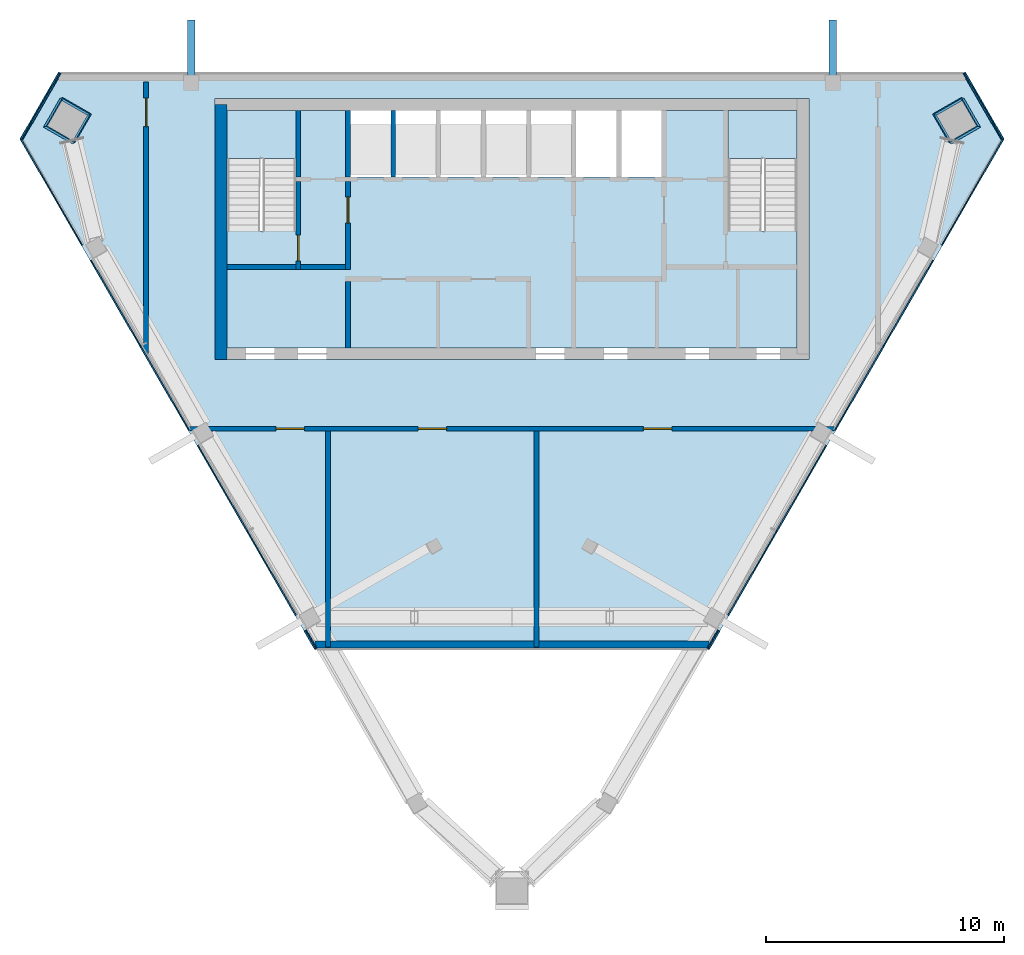
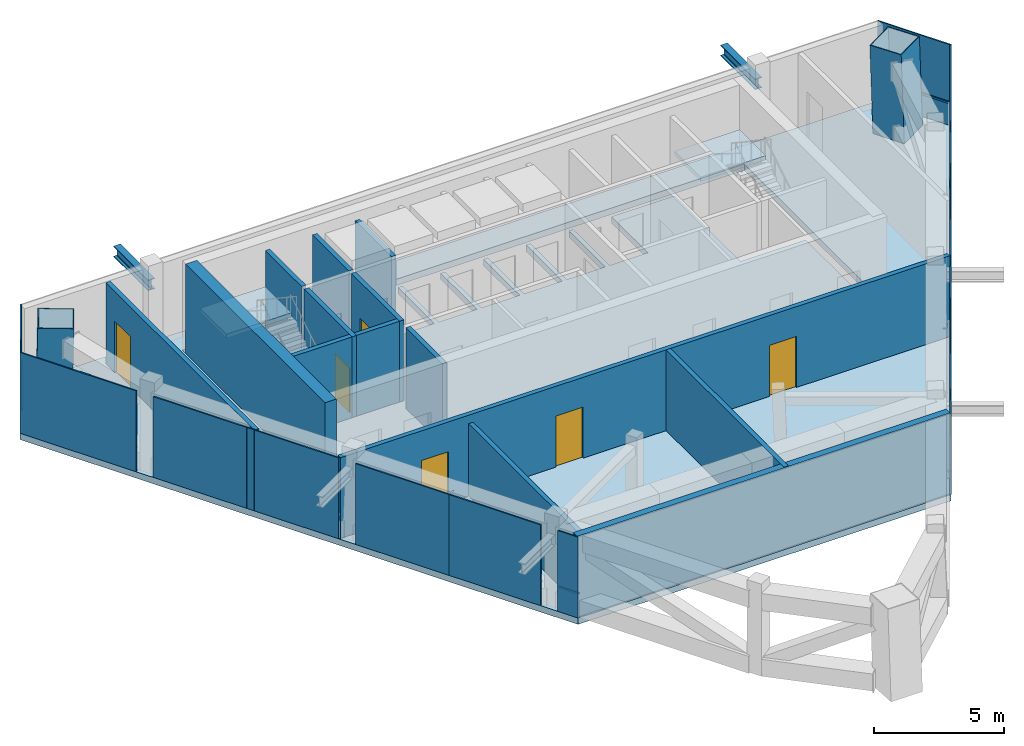
# One storey, part 5 of 9: 14 plates, 14 walls, 8 members, 6 doors, 4 slabs, 6 openings, 6 elements without a shape of their own.
"""IFC4 building model written with IfcOpenShell, lengths in metres."""

from ifc_helpers import new_model, si_unit, direction, frame, frame_2d, origin, origin_2d, place, context, subcontext, project, spatial, polyline, rectangle, hollow_rectangle, i_section, outline, extrude, material, layer, layer_set, material_profile, profile_set, type_object, element, fill, aggregate, save


model = new_model("IFC4")

# Units and contexts
model_context = context("Model", 3, precision=1e-05, world=origin(), true_north=direction((0.0, 1.0)))
body_context = subcontext(model_context, "Body", "Model", "MODEL_VIEW")
ifc_project = project(units=[si_unit("LENGTHUNIT", "METRE"), si_unit("AREAUNIT", "SQUARE_METRE"), si_unit("VOLUMEUNIT", "CUBIC_METRE"), si_unit("PLANEANGLEUNIT", "RADIAN"), si_unit("MASSUNIT", "GRAM", prefix="KILO")], contexts=[model_context])

# Site, building, storey
site_placement = place(None, origin())
site = spatial("IfcSite", under=ifc_project, at=site_placement, CompositionType="ELEMENT")
building_placement = place(site_placement, origin())
building = spatial("IfcBuilding", under=site, at=building_placement, Name="Altiplano Prism Tower", CompositionType="ELEMENT")
storey_placement = place(building_placement, frame((0.0, 0.0, 343.0)))
storey = spatial("IfcBuildingStorey", under=building, at=storey_placement, Name="L89", CompositionType="ELEMENT", Elevation=343.0)

# Members
ifc_material_1 = material(Name="Steel S355", Category="steel")
ifc_material_profile_1 = material_profile(ifc_material_1, i_section(OverallWidth=0.300048828125, OverallDepth=0.5, WebThickness=0.014404296875, FlangeThickness=0.028076171875, FilletRadius=0.027099609375, at=origin_2d()), Name="Brace bracket HEB 500")
ifc_profile_set_1 = profile_set([ifc_material_profile_1], Name="Steel S355")
member_type_1 = type_object("IfcMemberType", Name="Brace bracket HEB 500", PredefinedType="STRUT", material=ifc_profile_set_1)
for number, where, z_axis, x_axis, name in (
    (1, (98.5, 104.550048828125, 3.04443359375), (0.0, 1.0, 0.0), (-1.0, 0.0, 0.0), "Brace bracket 0.347.2"),
    (2, (71.5, 104.550048828125, 3.04443359375), (0.0, 1.0, 0.0), (-1.0, 0.0, 0.0), "Brace bracket 0.347.2"),
):
    element("IfcMember", number, at=place(storey_placement, frame(where, z_axis=z_axis, x_axis=x_axis)), inside=storey, type_object=member_type_1, Name=name, PredefinedType="STRUT", context=body_context, shape_type="SweptSolid", body=[
        extrude(i_section(OverallWidth=0.300048828125, OverallDepth=0.5, WebThickness=0.014404296875, FlangeThickness=0.028076171875, FilletRadius=0.027099609375, at=origin_2d()), origin(), (0.0, 0.0, 1.0), 2.64990234375),
    ])

# Curtain wall, member
ifc_material_2 = material(Name="Aluminium and glass", Category="aluminium")
ifc_layer_1 = layer(ifc_material_2, 0.320068359375)
ifc_layer_set_1 = layer_set([ifc_layer_1], Name="Aluminium and glass")
curtain_wall_type = type_object("IfcCurtainWallType", Name="CW6 louvred plant-floor curtain wall", PredefinedType="NOTDEFINED", material=ifc_layer_set_1)
curtain_wall_1_placement = place(storey_placement, origin())
curtain_wall_1 = element("IfcCurtainWall", 3, at=curtain_wall_1_placement, inside=storey, type_object=curtain_wall_type, Name="CW6 curtain wall north-west chamfer L89", PredefinedType="NOTDEFINED")
ifc_material_3 = material(Name="Aluminium", Category="aluminium")
ifc_material_profile_2 = material_profile(ifc_material_3, rectangle(XDim=0.06005859375, YDim=0.080078125, at=origin_2d()), Name="CW6 transom 80 x 60")
ifc_profile_set_2 = profile_set([ifc_material_profile_2], Name="Aluminium")
member_type_2 = type_object("IfcMemberType", Name="CW6 transom 80 x 60", PredefinedType="USERDEFINED", material=ifc_profile_set_2)
member_1_placement = place(storey_placement, frame((65.9912109375, 104.955078125, 1.10009765625), z_axis=(-0.499967850536, -0.866043964491, 0.0), x_axis=(0.866043964491, -0.499967850536, 0.0)))
member_1 = element("IfcMember", 4, at=member_1_placement, type_object=member_type_2, Name="CW6 transom", ObjectType="TRANSOM", PredefinedType="USERDEFINED", context=body_context, shape_type="SweptSolid", body=[
    extrude(rectangle(XDim=0.06005859375, YDim=0.080078125, at=origin_2d()), origin(), (0.0, 0.0, 1.0), 3.243896484375),
])

curtain_wall_2_placement = place(storey_placement, origin())
curtain_wall_2 = element("IfcCurtainWall", 5, at=curtain_wall_2_placement, inside=storey, type_object=curtain_wall_type, Name="CW6 curtain wall south-west face L89", PredefinedType="NOTDEFINED")
member_2_placement = place(storey_placement, frame((76.3251953125, 81.527587890625, 1.10009765625), z_axis=(0.500120037633, -0.865956088932, 0.0), x_axis=(0.865956088932, 0.500120037633, 0.0)))
member_2 = element("IfcMember", 6, at=member_2_placement, type_object=member_type_2, Name="CW6 transom", ObjectType="TRANSOM", PredefinedType="USERDEFINED", context=body_context, shape_type="SweptSolid", body=[
    extrude(rectangle(XDim=0.06005859375, YDim=0.080078125, at=origin_2d()), origin(), (0.0, 0.0, 1.0), 0.903564453125),
])

curtain_wall_3_placement = place(storey_placement, origin())
curtain_wall_3 = element("IfcCurtainWall", 7, at=curtain_wall_3_placement, inside=storey, type_object=curtain_wall_type, Name="CW6 curtain wall south-east face L89", PredefinedType="NOTDEFINED")
member_3_placement = place(storey_placement, frame((93.222900390625, 80.7451171875, 1.10009765625), z_axis=(0.500120037633, 0.865956088932, 0.0), x_axis=(-0.865956088932, 0.500120037633, 0.0)))
member_3 = element("IfcMember", 8, at=member_3_placement, type_object=member_type_2, Name="CW6 transom", ObjectType="TRANSOM", PredefinedType="USERDEFINED", context=body_context, shape_type="SweptSolid", body=[
    extrude(rectangle(XDim=0.06005859375, YDim=0.080078125, at=origin_2d()), origin(), (0.0, 0.0, 1.0), 0.903564453125),
])

curtain_wall_4_placement = place(storey_placement, origin())
curtain_wall_4 = element("IfcCurtainWall", 9, at=curtain_wall_4_placement, inside=storey, type_object=curtain_wall_type, Name="CW6 curtain wall north-east chamfer L89", PredefinedType="NOTDEFINED")
member_4_placement = place(storey_placement, frame((105.630615234375, 102.145751953125, 1.10009765625), z_axis=(-0.499967850536, 0.866043964491, 0.0), x_axis=(-0.866043964491, -0.499967850536, 0.0)))
member_4 = element("IfcMember", 10, at=member_4_placement, type_object=member_type_2, Name="CW6 transom", ObjectType="TRANSOM", PredefinedType="USERDEFINED", context=body_context, shape_type="SweptSolid", body=[
    extrude(rectangle(XDim=0.06005859375, YDim=0.080078125, at=origin_2d()), origin(), (0.0, 0.0, 1.0), 3.243896484375),
])

# Members
ifc_material_4 = material(Name="Steel S460", Category="steel")
ifc_material_profile_3 = material_profile(ifc_material_4, hollow_rectangle(XDim=1.39990234375, YDim=1.39990234375, WallThickness=0.0400390625, at=origin_2d()), Name="Mega column tube 1400")
ifc_profile_set_3 = profile_set([ifc_material_profile_3], Name="Steel S460")
member_type_3 = type_object("IfcMemberType", Name="Mega column tube 1400", PredefinedType="POST", material=ifc_profile_set_3)
for number, where, z_axis, x_axis, name in (
    (11, (66.228271484375, 102.9453125, 0.0), (0.028354513336, 0.00929656175, 0.99955469861), (-0.866606398712, 0.498593533473, 0.019945879045), "Mega column tube M0 L89"),
    (12, (103.771728515625, 102.9453125, 0.0), (-0.028354513336, 0.00929656175, 0.99955469861), (0.498186080983, -0.866786053371, 0.022193836892), "Mega column tube M2 L89"),
):
    element("IfcMember", number, at=place(storey_placement, frame(where, z_axis=z_axis, x_axis=x_axis)), inside=storey, type_object=member_type_3, Name=name, PredefinedType="POST", context=body_context, shape_type="SweptSolid", body=[
        extrude(hollow_rectangle(XDim=1.39990234375, YDim=1.39990234375, WallThickness=0.0400390625, at=origin_2d()), origin(), (0.0, 0.0, 1.0), 4.201904296875),
    ])

# Plate
ifc_material_5 = material(Name="Anodised aluminium", Category="aluminium")
ifc_layer_2 = layer(ifc_material_5, 0.06005859375)
ifc_layer_set_2 = layer_set([ifc_layer_2], Name="Anodised aluminium")
plate_type = type_object("IfcPlateType", Name="CW6 louvred aluminium panel 60", PredefinedType="CURTAIN_PANEL", material=ifc_layer_set_2)
plate_1_placement = place(storey_placement, frame((65.12841796875, 103.580322265625, 0.0), z_axis=(0.0, 0.0, 1.0), x_axis=(-0.499999934749, -0.866025441457, 0.0)))
plate_1 = element("IfcPlate", 13, at=plate_1_placement, type_object=plate_type, Name="CW6 panel", PredefinedType="CURTAIN_PANEL", context=body_context, shape_type="SweptSolid", body=[
    extrude(rectangle(XDim=3.233642578125, YDim=0.06005859375, at=origin_2d()), origin(), (0.0, 0.0, 1.0), 3.800048828125),
])

aggregate(curtain_wall_1, [member_1, plate_1])

plate_2_placement = place(storey_placement, frame((65.609375, 99.9677734375, 0.0), z_axis=(0.0, 0.0, 1.0), x_axis=(0.500000003915, -0.866025401524, 0.0)))
plate_2 = element("IfcPlate", 14, at=plate_2_placement, type_object=plate_type, Name="CW6 panel", PredefinedType="CURTAIN_PANEL", context=body_context, shape_type="SweptSolid", body=[
    extrude(rectangle(XDim=5.158203125, YDim=0.06005859375, at=origin_2d()), origin(), (0.0, 0.0, 1.0), 3.800048828125),
])

plate_3_placement = place(storey_placement, frame((68.317138671875, 95.2783203125, 0.0), z_axis=(0.0, 0.0, 1.0), x_axis=(0.500000003915, -0.866025401524, 0.0)))
plate_3 = element("IfcPlate", 15, at=plate_3_placement, type_object=plate_type, Name="CW6 panel", PredefinedType="CURTAIN_PANEL", context=body_context, shape_type="SweptSolid", body=[
    extrude(rectangle(XDim=4.1650390625, YDim=0.06005859375, at=origin_2d()), origin(), (0.0, 0.0, 1.0), 3.800048828125),
])

plate_4_placement = place(storey_placement, frame((70.381103515625, 91.703125, 0.0), z_axis=(0.0, 0.0, 1.0), x_axis=(0.500000003915, -0.866025401524, 0.0)))
plate_4 = element("IfcPlate", 16, at=plate_4_placement, type_object=plate_type, Name="CW6 panel", PredefinedType="CURTAIN_PANEL", context=body_context, shape_type="SweptSolid", body=[
    extrude(rectangle(XDim=4.071533203125, YDim=0.06005859375, at=origin_2d()), origin(), (0.0, 0.0, 1.0), 3.800048828125),
])

plate_5_placement = place(storey_placement, frame((72.817138671875, 87.484130859375, 0.0), z_axis=(0.0, 0.0, 1.0), x_axis=(0.500000003915, -0.866025401524, 0.0)))
plate_5 = element("IfcPlate", 17, at=plate_5_placement, type_object=plate_type, Name="CW6 panel", PredefinedType="CURTAIN_PANEL", context=body_context, shape_type="SweptSolid", body=[
    extrude(rectangle(XDim=4.1650390625, YDim=0.06005859375, at=origin_2d()), origin(), (0.0, 0.0, 1.0), 3.800048828125),
])

plate_6_placement = place(storey_placement, frame((74.881103515625, 83.908935546875, 0.0), z_axis=(0.0, 0.0, 1.0), x_axis=(0.500000003915, -0.866025401524, 0.0)))
plate_6 = element("IfcPlate", 18, at=plate_6_placement, type_object=plate_type, Name="CW6 panel", PredefinedType="CURTAIN_PANEL", context=body_context, shape_type="SweptSolid", body=[
    extrude(rectangle(XDim=4.071533203125, YDim=0.06005859375, at=origin_2d()), origin(), (0.0, 0.0, 1.0), 3.800048828125),
])

plate_7_placement = place(storey_placement, frame((76.499267578125, 81.1064453125, 0.0), z_axis=(0.0, 0.0, 1.0), x_axis=(0.500000003915, -0.866025401524, 0.0)))
plate_7 = element("IfcPlate", 19, at=plate_7_placement, type_object=plate_type, Name="CW6 panel", PredefinedType="CURTAIN_PANEL", context=body_context, shape_type="SweptSolid", body=[
    extrude(rectangle(XDim=0.893798828125, YDim=0.06005859375, at=origin_2d()), origin(), (0.0, 0.0, 1.0), 3.800048828125),
])

aggregate(curtain_wall_2, [plate_2, plate_3, plate_4, plate_5, plate_6, member_2, plate_7])

plate_8_placement = place(storey_placement, frame((93.500732421875, 81.1064453125, 0.0), z_axis=(0.0, 0.0, 1.0), x_axis=(0.500000003915, 0.866025401524, 0.0)))
plate_8 = element("IfcPlate", 20, at=plate_8_placement, type_object=plate_type, Name="CW6 panel", PredefinedType="CURTAIN_PANEL", context=body_context, shape_type="SweptSolid", body=[
    extrude(rectangle(XDim=0.893798828125, YDim=0.06005859375, at=origin_2d()), origin(), (0.0, 0.0, 1.0), 3.800048828125),
])

plate_9_placement = place(storey_placement, frame((95.118896484375, 83.908935546875, 0.0), z_axis=(0.0, 0.0, 1.0), x_axis=(0.500000003915, 0.866025401524, 0.0)))
plate_9 = element("IfcPlate", 21, at=plate_9_placement, type_object=plate_type, Name="CW6 panel", PredefinedType="CURTAIN_PANEL", context=body_context, shape_type="SweptSolid", body=[
    extrude(rectangle(XDim=4.071533203125, YDim=0.06005859375, at=origin_2d()), origin(), (0.0, 0.0, 1.0), 3.800048828125),
])

plate_10_placement = place(storey_placement, frame((97.182861328125, 87.484130859375, 0.0), z_axis=(0.0, 0.0, 1.0), x_axis=(0.500000003915, 0.866025401524, 0.0)))
plate_10 = element("IfcPlate", 22, at=plate_10_placement, type_object=plate_type, Name="CW6 panel", PredefinedType="CURTAIN_PANEL", context=body_context, shape_type="SweptSolid", body=[
    extrude(rectangle(XDim=4.1650390625, YDim=0.06005859375, at=origin_2d()), origin(), (0.0, 0.0, 1.0), 3.800048828125),
])

plate_11_placement = place(storey_placement, frame((99.618896484375, 91.703125, 0.0), z_axis=(0.0, 0.0, 1.0), x_axis=(0.500000003915, 0.866025401524, 0.0)))
plate_11 = element("IfcPlate", 23, at=plate_11_placement, type_object=plate_type, Name="CW6 panel", PredefinedType="CURTAIN_PANEL", context=body_context, shape_type="SweptSolid", body=[
    extrude(rectangle(XDim=4.071533203125, YDim=0.06005859375, at=origin_2d()), origin(), (0.0, 0.0, 1.0), 3.800048828125),
])

plate_12_placement = place(storey_placement, frame((101.682861328125, 95.2783203125, 0.0), z_axis=(0.0, 0.0, 1.0), x_axis=(0.500000003915, 0.866025401524, 0.0)))
plate_12 = element("IfcPlate", 24, at=plate_12_placement, type_object=plate_type, Name="CW6 panel", PredefinedType="CURTAIN_PANEL", context=body_context, shape_type="SweptSolid", body=[
    extrude(rectangle(XDim=4.1650390625, YDim=0.06005859375, at=origin_2d()), origin(), (0.0, 0.0, 1.0), 3.800048828125),
])

plate_13_placement = place(storey_placement, frame((104.390625, 99.9677734375, 0.0), z_axis=(0.0, 0.0, 1.0), x_axis=(0.500000003915, 0.866025401524, 0.0)))
plate_13 = element("IfcPlate", 25, at=plate_13_placement, type_object=plate_type, Name="CW6 panel", PredefinedType="CURTAIN_PANEL", context=body_context, shape_type="SweptSolid", body=[
    extrude(rectangle(XDim=5.158203125, YDim=0.06005859375, at=origin_2d()), origin(), (0.0, 0.0, 1.0), 3.800048828125),
])

aggregate(curtain_wall_3, [member_3, plate_8, plate_9, plate_10, plate_11, plate_12, plate_13])

plate_14_placement = place(storey_placement, frame((104.87158203125, 103.580322265625, 0.0), z_axis=(0.0, 0.0, 1.0), x_axis=(-0.499999934749, 0.866025441457, 0.0)))
plate_14 = element("IfcPlate", 26, at=plate_14_placement, type_object=plate_type, Name="CW6 panel", PredefinedType="CURTAIN_PANEL", context=body_context, shape_type="SweptSolid", body=[
    extrude(rectangle(XDim=3.233642578125, YDim=0.06005859375, at=origin_2d()), origin(), (0.0, 0.0, 1.0), 3.800048828125),
])

aggregate(curtain_wall_4, [member_4, plate_14])

# Slabs
ifc_material_6 = material(Name="Concrete C40/50", Category="concrete")
ifc_layer_3 = layer(ifc_material_6, 0.300048828125)
ifc_layer_set_3 = layer_set([ifc_layer_3], Name="Concrete C40/50")
slab_type_1 = type_object("IfcSlabType", Name="Core floor slab 300", PredefinedType="FLOOR", material=ifc_layer_set_3)
slab_1_placement = place(storey_placement, frame((0.0, 0.0, -0.300048828125)))
element("IfcSlab", 27, at=slab_1_placement, inside=storey, type_object=slab_type_1, Name="Core floor slab L89", PredefinedType="FLOOR", context=body_context, shape_type="SweptSolid", body=[
    extrude(outline(polyline([(97.0, 98.31005859375), (94.10009765625, 98.31005859375), (94.10009765625, 103.39990234375), (91.300048828125, 103.39990234375), (91.300048828125, 100.60009765625), (89.60009765625, 100.60009765625), (89.60009765625, 103.39990234375), (89.39990234375, 103.39990234375), (89.39990234375, 100.60009765625), (87.699951171875, 100.60009765625), (87.699951171875, 103.39990234375), (87.5, 103.39990234375), (87.5, 100.60009765625), (85.800048828125, 100.60009765625), (85.800048828125, 103.39990234375), (85.60009765625, 103.39990234375), (85.60009765625, 100.60009765625), (83.89990234375, 100.60009765625), (83.89990234375, 103.39990234375), (83.699951171875, 103.39990234375), (83.699951171875, 100.60009765625), (82.0, 100.60009765625), (82.0, 103.39990234375), (81.800048828125, 103.39990234375), (81.800048828125, 100.60009765625), (80.10009765625, 100.60009765625), (80.10009765625, 103.39990234375), (79.89990234375, 103.39990234375), (79.89990234375, 100.60009765625), (78.199951171875, 100.60009765625), (78.199951171875, 103.39990234375), (75.89990234375, 103.39990234375), (75.89990234375, 98.31005859375), (73.0, 98.31005859375), (73.0, 93.39990234375), (97.0, 93.39990234375), (97.0, 98.31005859375)])), origin(), (0.0, 0.0, 1.0), 0.300048828125),
])
ifc_layer_4 = layer(ifc_material_6, 0.300048828125)
ifc_layer_set_4 = layer_set([ifc_layer_4], Name="Concrete C40/50")
slab_type_2 = type_object("IfcSlabType", Name="Post-tensioned flat slab 300", PredefinedType="FLOOR", material=ifc_layer_set_4)
slab_2_placement = place(storey_placement, frame((0.0, 0.0, -0.300048828125)))
element("IfcSlab", 28, at=slab_2_placement, inside=storey, type_object=slab_type_2, Name="Floor slab L89", PredefinedType="FLOOR", context=body_context, shape_type="SweptSolid", body=[
    extrude(outline(polyline([(105.70849609375, 102.19091796875), (93.30078125, 80.699951171875), (76.69921875, 80.699951171875), (64.29150390625, 102.19091796875), (65.913330078125, 105.0), (104.086669921875, 105.0), (105.70849609375, 102.19091796875)]), holes=[polyline([(97.5, 92.89990234375), (97.5, 103.89990234375), (72.5, 103.89990234375), (72.5, 92.89990234375), (97.5, 92.89990234375)])]), origin(), (0.0, 0.0, 1.0), 0.300048828125),
])

# Stair, slab
stair_type = type_object("IfcStairType", Name="Exit stair 1400", PredefinedType="HALF_TURN_STAIR", material=ifc_material_6)
stair_1_placement = place(storey_placement, origin())
stair_1 = element("IfcStair", 29, at=stair_1_placement, inside=storey, type_object=stair_type, Name="L89 Exit Stair 1", PredefinedType="HALF_TURN_STAIR")
ifc_layer_5 = layer(ifc_material_6, 0.199951171875)
ifc_layer_set_5 = layer_set([ifc_layer_5], Name="Concrete C40/50")
slab_type_3 = type_object("IfcSlabType", Name="Stair landing 200", PredefinedType="LANDING", material=ifc_layer_set_5)
slab_3_placement = place(storey_placement, frame((0.0, 0.0, 1.89990234375)))
slab_3 = element("IfcSlab", 30, at=slab_3_placement, type_object=slab_type_3, Name="ST1 landing 1", PredefinedType="LANDING", context=body_context, shape_type="SweptSolid", body=[
    extrude(outline(polyline([(75.89990234375, 101.376953125), (75.89990234375, 103.39990234375), (73.0, 103.39990234375), (73.0, 101.376953125), (75.89990234375, 101.376953125)])), origin(), (0.0, 0.0, 1.0), 0.2001953125),
])
aggregate(stair_1, [slab_3])

stair_2_placement = place(storey_placement, origin())
stair_2 = element("IfcStair", 31, at=stair_2_placement, inside=storey, type_object=stair_type, Name="L89 Exit Stair 2", PredefinedType="HALF_TURN_STAIR")
slab_4_placement = place(storey_placement, frame((0.0, 0.0, 1.89990234375)))
slab_4 = element("IfcSlab", 32, at=slab_4_placement, type_object=slab_type_3, Name="ST2 landing 1", PredefinedType="LANDING", context=body_context, shape_type="SweptSolid", body=[
    extrude(outline(polyline([(97.0, 101.376953125), (97.0, 103.39990234375), (94.10009765625, 103.39990234375), (94.10009765625, 101.376953125), (97.0, 101.376953125)])), origin(), (0.0, 0.0, 1.0), 0.2001953125),
])
aggregate(stair_2, [slab_4])

# Wall
ifc_material_7 = material(Name="Concrete C60/75", Category="concrete")
ifc_layer_6 = layer(ifc_material_7, 0.5)
ifc_layer_set_6 = layer_set([ifc_layer_6], Name="Concrete C60/75")
wall_type_1 = type_object("IfcWallType", Name="Core wall 500", PredefinedType="SHEAR", material=ifc_layer_set_6)
wall_1_placement = place(storey_placement, frame((72.75, 103.64990234375, 0.0), z_axis=(0.0, 0.0, 1.0), x_axis=(0.0, -1.0, 0.0)))
element("IfcWall", 33, at=wall_1_placement, inside=storey, type_object=wall_type_1, Name="Core wall W L89", PredefinedType="SHEAR", context=body_context, shape_type="SweptSolid", body=[
    extrude(rectangle(XDim=10.75, YDim=0.5, at=frame_2d((5.375, 0.0))), origin(), (0.0, 0.0, 1.0), 4.199951171875),
])

# Wall, openings, doors
ifc_material_8 = material(Name="Plasterboard on steel stud", Category="steel")
ifc_layer_7 = layer(ifc_material_8, 0.199951171875)
ifc_layer_set_7 = layer_set([ifc_layer_7], Name="Plasterboard on steel stud")
wall_type_2 = type_object("IfcWallType", Name="Partition 200 plant", PredefinedType="PARTITIONING", material=ifc_layer_set_7)
wall_2_placement = place(storey_placement, frame((71.44580078125, 89.9990234375, 0.0), z_axis=(0.0, 0.0, 1.0), x_axis=(1.0, 0.0, 0.0)))
wall_2 = element("IfcWall", 34, at=wall_2_placement, inside=storey, type_object=wall_type_2, Name="Partition P04 L89 001", PredefinedType="PARTITIONING", context=body_context, shape_type="SweptSolid", body=[
    extrude(rectangle(XDim=27.1083984375, YDim=0.199951171875, at=frame_2d((13.55419921875, 0.0))), origin(), (0.0, 0.0, 1.0), 3.800048828125),
])
opening_1_placement = place(wall_2_placement, frame((19.0849609375, 0.0, 0.0)))
opening_1 = element("IfcOpeningElement", 35, at=opening_1_placement, cuts=wall_2, Name="Opening D2515", PredefinedType="OPENING", context=body_context, shape_type="SweptSolid", body=[
    extrude(rectangle(XDim=1.199951171875, YDim=2.39990234375, at=frame_2d((0.60009765625, 1.199951171875))), frame((0.0, 0.1103515625, 0.0), z_axis=(0.0, -1.0, 0.0), x_axis=(1.0, 0.0, 0.0)), (0.0, 0.0, 1.0), 0.220947265625),
])
opening_2_placement = place(wall_2_placement, frame((9.59912109375, 0.0, 0.0)))
opening_2 = element("IfcOpeningElement", 36, at=opening_2_placement, cuts=wall_2, Name="Opening D2516", PredefinedType="OPENING", context=body_context, shape_type="SweptSolid", body=[
    extrude(rectangle(XDim=1.199951171875, YDim=2.39990234375, at=frame_2d((0.60009765625, 1.199951171875))), frame((0.0, 0.1103515625, 0.0), z_axis=(0.0, -1.0, 0.0), x_axis=(1.0, 0.0, 0.0)), (0.0, 0.0, 1.0), 0.220947265625),
])
opening_3_placement = place(wall_2_placement, frame((3.617919921875, 0.0, 0.0)))
opening_3 = element("IfcOpeningElement", 37, at=opening_3_placement, cuts=wall_2, Name="Opening D2519", PredefinedType="OPENING", context=body_context, shape_type="SweptSolid", body=[
    extrude(rectangle(XDim=1.199951171875, YDim=2.39990234375, at=frame_2d((0.60009765625, 1.199951171875))), frame((0.0, 0.1103515625, 0.0), z_axis=(0.0, -1.0, 0.0), x_axis=(1.0, 0.0, 0.0)), (0.0, 0.0, 1.0), 0.220947265625),
])
ifc_material_9 = material(Name="Painted steel door leaf", Category="steel")
door_type_1 = type_object("IfcDoorType", Name="Plant room door 1200 x 2400", OperationType="NOTDEFINED", PredefinedType="NOTDEFINED", material=ifc_material_9)
door_1_placement = place(opening_1_placement, origin())
door_1 = element("IfcDoor", 38, at=door_1_placement, inside=storey, type_object=door_type_1, Name="Door D2515", OperationType="SINGLE_SWING_RIGHT", OverallHeight=2.39990234375, OverallWidth=1.199951171875, PredefinedType="NOTDEFINED", context=body_context, shape_type="SweptSolid", body=[
    extrude(rectangle(XDim=1.199951171875, YDim=2.39990234375, at=frame_2d((0.60009765625, 1.199951171875))), frame((0.0, 0.02490234375, 0.0), z_axis=(0.0, -1.0, 0.0), x_axis=(1.0, 0.0, 0.0)), (0.0, 0.0, 1.0), 0.050048828125),
])
fill(opening_1, door_1)
door_2_placement = place(opening_2_placement, origin())
door_2 = element("IfcDoor", 39, at=door_2_placement, inside=storey, type_object=door_type_1, Name="Door D2516", OperationType="SINGLE_SWING_LEFT", OverallHeight=2.39990234375, OverallWidth=1.199951171875, PredefinedType="NOTDEFINED", context=body_context, shape_type="SweptSolid", body=[
    extrude(rectangle(XDim=1.199951171875, YDim=2.39990234375, at=frame_2d((0.60009765625, 1.199951171875))), frame((0.0, 0.02490234375, 0.0), z_axis=(0.0, -1.0, 0.0), x_axis=(1.0, 0.0, 0.0)), (0.0, 0.0, 1.0), 0.050048828125),
])
fill(opening_2, door_2)
door_3_placement = place(opening_3_placement, origin())
door_3 = element("IfcDoor", 40, at=door_3_placement, inside=storey, type_object=door_type_1, Name="Door D2519", OperationType="SINGLE_SWING_LEFT", OverallHeight=2.39990234375, OverallWidth=1.199951171875, PredefinedType="NOTDEFINED", context=body_context, shape_type="SweptSolid", body=[
    extrude(rectangle(XDim=1.199951171875, YDim=2.39990234375, at=frame_2d((0.60009765625, 1.199951171875))), frame((0.0, 0.02490234375, 0.0), z_axis=(0.0, -1.0, 0.0), x_axis=(1.0, 0.0, 0.0)), (0.0, 0.0, 1.0), 0.050048828125),
])
fill(opening_3, door_3)

# Wall, opening, door
wall_3_placement = place(storey_placement, frame((69.60009765625, 104.60009765625, 0.0), z_axis=(0.0, 0.0, 1.0), x_axis=(-8.5347899e-05, -0.999999996358, 0.0)))
wall_3 = element("IfcWall", 41, at=wall_3_placement, inside=storey, type_object=wall_type_2, Name="Partition P04 L89 003", PredefinedType="PARTITIONING", context=body_context, shape_type="SweptSolid", body=[
    extrude(rectangle(XDim=11.442138671875, YDim=0.199951171875, at=frame_2d((5.72119140625, 0.0))), origin(), (0.0, 0.0, 1.0), 3.800048828125),
])
opening_4_placement = place(wall_3_placement, frame((0.68603515625, 0.0, 0.0)))
opening_4 = element("IfcOpeningElement", 42, at=opening_4_placement, cuts=wall_3, Name="Opening D2518", PredefinedType="OPENING", context=body_context, shape_type="SweptSolid", body=[
    extrude(rectangle(XDim=1.199951171875, YDim=2.39990234375, at=frame_2d((0.60009765625, 1.199951171875))), frame((0.0, 0.1103515625, 0.0), z_axis=(0.0, -1.0, 0.0), x_axis=(1.0, 0.0, 0.0)), (0.0, 0.0, 1.0), 0.220947265625),
])
door_4_placement = place(opening_4_placement, origin())
door_4 = element("IfcDoor", 43, at=door_4_placement, inside=storey, type_object=door_type_1, Name="Door D2518", OperationType="SINGLE_SWING_LEFT", OverallHeight=2.39990234375, OverallWidth=1.199951171875, PredefinedType="NOTDEFINED", context=body_context, shape_type="SweptSolid", body=[
    extrude(rectangle(XDim=1.199951171875, YDim=2.39990234375, at=frame_2d((0.60009765625, 1.199951171875))), frame((0.0, 0.02490234375, 0.0), z_axis=(0.0, -1.0, 0.0), x_axis=(1.0, 0.0, 0.0)), (0.0, 0.0, 1.0), 0.050048828125),
])
fill(opening_4, door_4)

# Walls
wall_4_placement = place(storey_placement, frame((86.0341796875, 89.89892578125, 0.0), z_axis=(0.0, 0.0, 1.0), x_axis=(0.0, -1.0, 0.0)))
element("IfcWall", 44, at=wall_4_placement, inside=storey, type_object=wall_type_2, Name="Partition P04 L89 004", PredefinedType="PARTITIONING", context=body_context, shape_type="SweptSolid", body=[
    extrude(rectangle(XDim=9.098876953125, YDim=0.199951171875, at=frame_2d((4.54931640625, 0.0))), origin(), (0.0, 0.0, 1.0), 3.800048828125),
])
wall_5_placement = place(storey_placement, frame((77.254638671875, 89.89892578125, 0.0), z_axis=(0.0, 0.0, 1.0), x_axis=(0.0, -1.0, 0.0)))
element("IfcWall", 45, at=wall_5_placement, inside=storey, type_object=wall_type_2, Name="Partition P04 L89 005", PredefinedType="PARTITIONING", context=body_context, shape_type="SweptSolid", body=[
    extrude(rectangle(XDim=9.098876953125, YDim=0.199951171875, at=frame_2d((4.54931640625, 0.0))), origin(), (0.0, 0.0, 1.0), 3.39990234375),
])
ifc_layer_8 = layer(ifc_material_7, 0.199951171875)
ifc_layer_set_8 = layer_set([ifc_layer_8], Name="Concrete C60/75")
wall_type_3 = type_object("IfcWallType", Name="Shaft wall 200", PredefinedType="SOLIDWALL", material=ifc_layer_set_8)
for number, where, z_axis, x_axis, name in (
    (46, (78.10009765625, 100.60009765625, 0.0), (0.0, 0.0, 1.0), (0.0, 1.0, 0.0), "Shaft wall L89"),
    (47, (80.0, 100.60009765625, 0.0), (0.0, 0.0, 1.0), (0.0, 1.0, 0.0), "Shaft wall L89"),
):
    element("IfcWall", number, at=place(storey_placement, frame(where, z_axis=z_axis, x_axis=x_axis)), inside=storey, type_object=wall_type_3, Name=name, PredefinedType="SOLIDWALL", context=body_context, shape_type="SweptSolid", body=[
        extrude(rectangle(XDim=2.7998046875, YDim=0.199951171875, at=frame_2d((1.39990234375, 0.0))), origin(), (0.0, 0.0, 1.0), 3.800048828125),
    ])
ifc_layer_9 = layer(ifc_material_7, 0.199951171875)
ifc_layer_set_9 = layer_set([ifc_layer_9], Name="Concrete C60/75")
wall_type_4 = type_object("IfcWallType", Name="Stair wall 200", PredefinedType="SOLIDWALL", material=ifc_layer_set_9)
wall_6_placement = place(storey_placement, frame((73.0, 96.800048828125, 0.0), z_axis=(0.0, 0.0, 1.0), x_axis=(1.0, 0.0, 0.0)))
element("IfcWall", 48, at=wall_6_placement, inside=storey, type_object=wall_type_4, Name="Stair wall L89", PredefinedType="SOLIDWALL", context=body_context, shape_type="SweptSolid", body=[
    extrude(rectangle(XDim=2.89990234375, YDim=0.199951171875, at=frame_2d((1.449951171875, 0.0))), origin(), (0.0, 0.0, 1.0), 3.800048828125),
])

# Wall, opening, door
wall_7_placement = place(storey_placement, frame((76.0, 96.699951171875, 0.0), z_axis=(0.0, 0.0, 1.0), x_axis=(0.0, 1.0, 0.0)))
wall_7 = element("IfcWall", 49, at=wall_7_placement, inside=storey, type_object=wall_type_4, Name="Stair wall L89", PredefinedType="SOLIDWALL", context=body_context, shape_type="SweptSolid", body=[
    extrude(rectangle(XDim=3.699951171875, YDim=0.199951171875, at=frame_2d((1.85009765625, 0.0))), origin(), (0.0, 0.0, 1.0), 3.800048828125),
])
opening_5_placement = place(wall_7_placement, frame((0.35009765625, 0.0, 0.0)))
opening_5 = element("IfcOpeningElement", 50, at=opening_5_placement, cuts=wall_7, Name="Opening D3846", PredefinedType="OPENING", context=body_context, shape_type="SweptSolid", body=[
    extrude(rectangle(XDim=1.10009765625, YDim=2.10009765625, at=frame_2d((0.550048828125, 1.050048828125))), frame((0.0, 0.1103515625, 0.0), z_axis=(0.0, -1.0, 0.0), x_axis=(1.0, 0.0, 0.0)), (0.0, 0.0, 1.0), 0.220947265625),
])
ifc_material_10 = material(Name="Fire-rated steel door", Category="steel")
door_type_2 = type_object("IfcDoorType", Name="Stair fire door 1100 x 2100", OperationType="NOTDEFINED", PredefinedType="NOTDEFINED", material=ifc_material_10)
door_5_placement = place(opening_5_placement, origin())
door_5 = element("IfcDoor", 51, at=door_5_placement, inside=storey, type_object=door_type_2, Name="Stair fire door D3846", OperationType="SINGLE_SWING_RIGHT", OverallHeight=2.10009765625, OverallWidth=1.10009765625, PredefinedType="NOTDEFINED", context=body_context, shape_type="SweptSolid", body=[
    extrude(rectangle(XDim=1.10009765625, YDim=2.10009765625, at=frame_2d((0.550048828125, 1.050048828125))), frame((0.0, 0.02490234375, 0.0), z_axis=(0.0, -1.0, 0.0), x_axis=(1.0, 0.0, 0.0)), (0.0, 0.0, 1.0), 0.050048828125),
])
fill(opening_5, door_5)

# Walls
wall_8_placement = place(storey_placement, frame((76.0, 100.60009765625, 0.0), z_axis=(0.0, 0.0, 1.0), x_axis=(0.0, 1.0, 0.0)))
element("IfcWall", 52, at=wall_8_placement, inside=storey, type_object=wall_type_4, Name="Stair wall L89", PredefinedType="SOLIDWALL", context=body_context, shape_type="SweptSolid", body=[
    extrude(rectangle(XDim=2.7998046875, YDim=0.199951171875, at=frame_2d((1.39990234375, 0.0))), origin(), (0.0, 0.0, 1.0), 3.800048828125),
])
ifc_material_11 = material(Name="Concrete C40", Category="concrete")
ifc_layer_10 = layer(ifc_material_11, 0.300048828125)
ifc_layer_set_10 = layer_set([ifc_layer_10], Name="Concrete C40")
wall_type_5 = type_object("IfcWallType", Name="Stone-clad external wall 300", PredefinedType="SOLIDWALL", material=ifc_layer_set_10)
wall_9_placement = place(storey_placement, frame((93.30078125, 80.909912109375, 0.0), z_axis=(0.0, 0.0, 1.0), x_axis=(-1.0, 0.0, 0.0)))
element("IfcWall", 53, at=wall_9_placement, inside=storey, type_object=wall_type_5, Name="External wall portal cut L89", PredefinedType="SOLIDWALL", context=body_context, shape_type="SweptSolid", body=[
    extrude(rectangle(XDim=16.6015625, YDim=0.300048828125, at=frame_2d((8.30078125, 0.0))), origin(), (0.0, 0.0, 1.0), 3.800048828125),
])
ifc_layer_11 = layer(ifc_material_7, 0.199951171875)
ifc_layer_set_11 = layer_set([ifc_layer_11], Name="Concrete C60/75")
wall_type_6 = type_object("IfcWallType", Name="Vestibule wall 200", PredefinedType="PARTITIONING", material=ifc_layer_set_11)
wall_10_placement = place(storey_placement, frame((78.10009765625, 93.39990234375, 0.0), z_axis=(0.0, 0.0, 1.0), x_axis=(0.0, 1.0, 0.0)))
element("IfcWall", 54, at=wall_10_placement, inside=storey, type_object=wall_type_6, Name="Vestibule wall L89", PredefinedType="PARTITIONING", context=body_context, shape_type="SweptSolid", body=[
    extrude(rectangle(XDim=2.800048828125, YDim=0.199951171875, at=frame_2d((1.39990234375, 0.0))), origin(), (0.0, 0.0, 1.0), 3.800048828125),
])
wall_11_placement = place(storey_placement, frame((76.10009765625, 96.800048828125, 0.0), z_axis=(0.0, 0.0, 1.0), x_axis=(1.0, 0.0, 0.0)))
element("IfcWall", 55, at=wall_11_placement, inside=storey, type_object=wall_type_6, Name="Vestibule wall L89", PredefinedType="PARTITIONING", context=body_context, shape_type="SweptSolid", body=[
    extrude(rectangle(XDim=1.89990234375, YDim=0.199951171875, at=frame_2d((0.949951171875, 0.0))), origin(), (0.0, 0.0, 1.0), 3.800048828125),
])

# Wall, opening, door
wall_12_placement = place(storey_placement, frame((78.10009765625, 96.699951171875, 0.0), z_axis=(0.0, 0.0, 1.0), x_axis=(0.0, 1.0, 0.0)))
wall_12 = element("IfcWall", 56, at=wall_12_placement, inside=storey, type_object=wall_type_6, Name="Vestibule wall L89", PredefinedType="PARTITIONING", context=body_context, shape_type="SweptSolid", body=[
    extrude(rectangle(XDim=3.699951171875, YDim=0.199951171875, at=frame_2d((1.85009765625, 0.0))), origin(), (0.0, 0.0, 1.0), 3.800048828125),
])
opening_6_placement = place(wall_12_placement, frame((1.949951171875, 0.0, 0.0)))
opening_6 = element("IfcOpeningElement", 57, at=opening_6_placement, cuts=wall_12, Name="Opening D3848", PredefinedType="OPENING", context=body_context, shape_type="SweptSolid", body=[
    extrude(rectangle(XDim=1.10009765625, YDim=2.10009765625, at=frame_2d((0.550048828125, 1.050048828125))), frame((0.0, 0.1103515625, 0.0), z_axis=(0.0, -1.0, 0.0), x_axis=(1.0, 0.0, 0.0)), (0.0, 0.0, 1.0), 0.220947265625),
])
door_type_3 = type_object("IfcDoorType", Name="Vestibule fire door 1100 x 2100", OperationType="NOTDEFINED", PredefinedType="NOTDEFINED", material=ifc_material_10)
door_6_placement = place(opening_6_placement, origin())
door_6 = element("IfcDoor", 58, at=door_6_placement, inside=storey, type_object=door_type_3, Name="Vestibule fire door D3848", OperationType="SINGLE_SWING_LEFT", OverallHeight=2.10009765625, OverallWidth=1.10009765625, PredefinedType="NOTDEFINED", context=body_context, shape_type="SweptSolid", body=[
    extrude(rectangle(XDim=1.10009765625, YDim=2.10009765625, at=frame_2d((0.550048828125, 1.050048828125))), frame((0.0, 0.02490234375, 0.0), z_axis=(0.0, -1.0, 0.0), x_axis=(1.0, 0.0, 0.0)), (0.0, 0.0, 1.0), 0.050048828125),
])
fill(opening_6, door_6)

save(model, "model.ifc")
